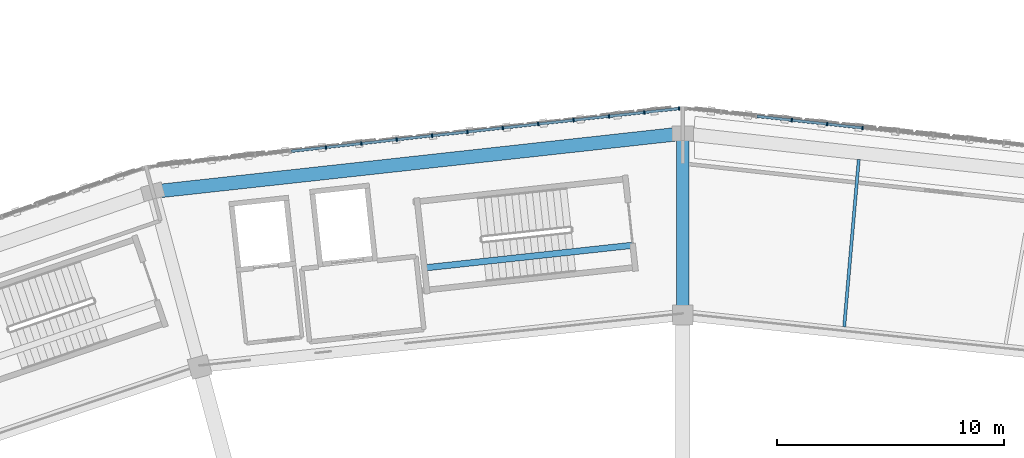
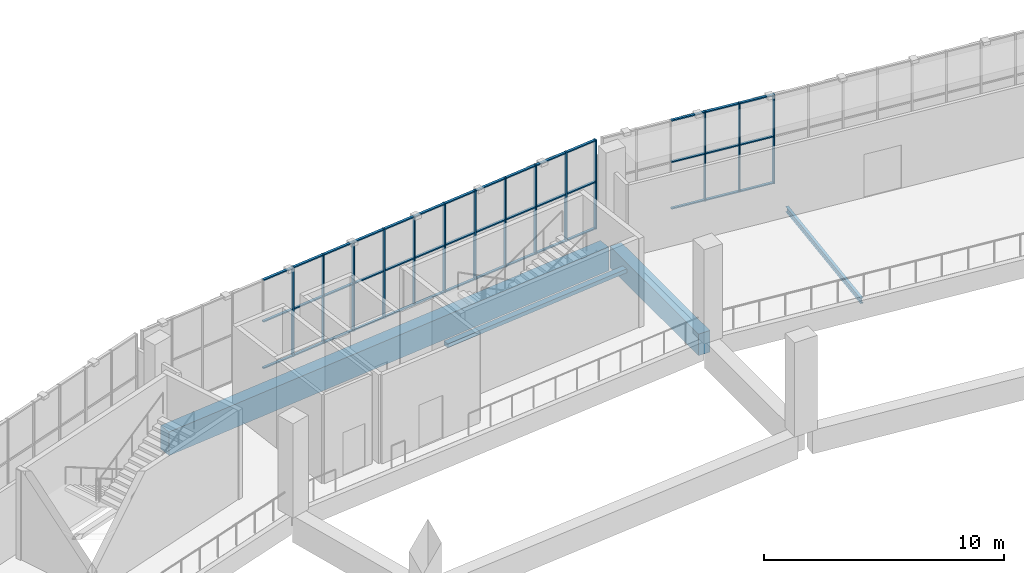
# One storey, part 40 of 108: 56 members, 4 beams, 2 elements without a shape of their own.
"""IFC4 building model written with IfcOpenShell, lengths in metres."""

from ifc_helpers import new_model, si_unit, direction, frame, origin, origin_2d, place, context, subcontext, project, spatial, rectangle, i_section, extrude, material, material_profile, profile_set, type_object, element, aggregate, save


model = new_model("IFC4")

# Units and contexts
model_context = context("Model", 3, precision=1e-05, world=origin(), true_north=direction((0.0, 1.0)))
body_context = subcontext(model_context, "Body", "Model", "MODEL_VIEW")
ifc_project = project(units=[si_unit("LENGTHUNIT", "METRE"), si_unit("AREAUNIT", "SQUARE_METRE"), si_unit("VOLUMEUNIT", "CUBIC_METRE"), si_unit("PLANEANGLEUNIT", "RADIAN"), si_unit("MASSUNIT", "GRAM", prefix="KILO")], contexts=[model_context])

# Site, building, storey
site_placement = place(None, origin())
site = spatial("IfcSite", under=ifc_project, at=site_placement, CompositionType="ELEMENT")
building_placement = place(site_placement, origin())
building = spatial("IfcBuilding", under=site, at=building_placement, Name="Zevraka Park Crest Stadium", CompositionType="ELEMENT")
storey_placement = place(building_placement, frame((0.0, 0.0, 19.800048828125)))
storey = spatial("IfcBuildingStorey", under=building, at=storey_placement, Name="L04", CompositionType="ELEMENT", Elevation=19.800048828125)

# Beam
ifc_material_1 = material(Name="Concrete C40/50", Category="concrete")
ifc_material_profile_1 = material_profile(ifc_material_1, rectangle(XDim=0.550048828125, YDim=1.10009765625, at=origin_2d()), Name="RC 1100x550")
ifc_profile_set_1 = profile_set([ifc_material_profile_1], Name="Concrete C40/50")
beam_type_1 = type_object("IfcBeamType", Name="BG02", PredefinedType="BEAM", material=ifc_profile_set_1)
beam_1_placement = place(storey_placement, frame((112.0, 159.60009765625, -0.56005859375), z_axis=(0.0, 1.0, 0.0), x_axis=(-1.0, 0.0, 0.0)))
element("IfcBeam", 1, at=beam_1_placement, inside=storey, type_object=beam_type_1, Name="Radial Girder BG02 L04-CD-06", PredefinedType="BEAM", context=body_context, shape_type="SweptSolid", body=[
    extrude(rectangle(XDim=0.550048828125, YDim=1.10009765625, at=origin_2d()), origin(), (0.0, 0.0, 1.0), 7.39990234375),
])

# Curtain wall, members
ifc_material_2 = material(Name="Anodised architectural aluminium and laminated safety glass", Category="aluminium")
curtain_wall_type = type_object("IfcCurtainWallType", Name="CW16", PredefinedType="NOTDEFINED", material=ifc_material_2)
curtain_wall_1_placement = place(storey_placement, origin())
curtain_wall_1 = element("IfcCurtainWall", 2, at=curtain_wall_1_placement, inside=storey, type_object=curtain_wall_type, Name="Unitised Ring Curtain Wall CW16 L04-05", PredefinedType="NOTDEFINED")
ifc_material_3 = material(Name="Anodised architectural aluminium", Category="aluminium")
ifc_material_profile_2 = material_profile(ifc_material_3, rectangle(XDim=0.159912109375, YDim=0.06005859375, at=origin_2d()), Name="ALU MULLION 160x60")
ifc_profile_set_2 = profile_set([ifc_material_profile_2], Name="Anodised architectural aluminium")
member_type_1 = type_object("IfcMemberType", Name="CM01", PredefinedType="MULLION", material=ifc_profile_set_2)
member_1_placement = place(storey_placement, frame((119.931396484375, 167.54638671875, 0.0), z_axis=(0.0, 0.0, 1.0), x_axis=(-0.109405941967, -0.993997152844, 0.0)))
member_1 = element("IfcMember", 3, at=member_1_placement, type_object=member_type_1, Name="CW16 mullion 11", PredefinedType="MULLION", context=body_context, shape_type="SweptSolid", body=[
    extrude(rectangle(XDim=0.159912109375, YDim=0.06005859375, at=origin_2d()), origin(), (0.0, 0.0, 1.0), 4.5400390625),
])
member_2_placement = place(storey_placement, frame((118.37109375, 167.718017578125, 0.0), z_axis=(0.0, 0.0, 1.0), x_axis=(-0.109405941967, -0.993997152844, 0.0)))
member_2 = element("IfcMember", 4, at=member_2_placement, type_object=member_type_1, Name="CW16 mullion 12", PredefinedType="MULLION", context=body_context, shape_type="SweptSolid", body=[
    extrude(rectangle(XDim=0.159912109375, YDim=0.06005859375, at=origin_2d()), origin(), (0.0, 0.0, 1.0), 4.5400390625),
])
member_3_placement = place(storey_placement, frame((116.810791015625, 167.889892578125, 0.0), z_axis=(0.0, 0.0, 1.0), x_axis=(-0.109405941967, -0.993997152844, 0.0)))
member_3 = element("IfcMember", 5, at=member_3_placement, type_object=member_type_1, Name="CW16 mullion 13", PredefinedType="MULLION", context=body_context, shape_type="SweptSolid", body=[
    extrude(rectangle(XDim=0.159912109375, YDim=0.06005859375, at=origin_2d()), origin(), (0.0, 0.0, 1.0), 4.5400390625),
])

curtain_wall_2_placement = place(storey_placement, origin())
curtain_wall_2 = element("IfcCurtainWall", 6, at=curtain_wall_2_placement, inside=storey, type_object=curtain_wall_type, Name="Unitised Ring Curtain Wall CW16 L04-06", PredefinedType="NOTDEFINED")
member_4_placement = place(storey_placement, frame((111.840087890625, 168.401611328125, 0.0), z_axis=(0.0, 0.0, 1.0), x_axis=(0.109405941967, -0.993997152844, 0.0)))
member_4 = element("IfcMember", 7, at=member_4_placement, type_object=member_type_1, Name="CW16 mullion 1", PredefinedType="MULLION", context=body_context, shape_type="SweptSolid", body=[
    extrude(rectangle(XDim=0.159912109375, YDim=0.06005859375, at=origin_2d()), origin(), (0.0, 0.0, 1.0), 4.5400390625),
])
member_5_placement = place(storey_placement, frame((110.309814453125, 168.233154296875, 0.0), z_axis=(0.0, 0.0, 1.0), x_axis=(0.109405941967, -0.993997152844, 0.0)))
member_5 = element("IfcMember", 8, at=member_5_placement, type_object=member_type_1, Name="CW16 mullion 2", PredefinedType="MULLION", context=body_context, shape_type="SweptSolid", body=[
    extrude(rectangle(XDim=0.159912109375, YDim=0.06005859375, at=origin_2d()), origin(), (0.0, 0.0, 1.0), 4.5400390625),
])
member_6_placement = place(storey_placement, frame((108.74951171875, 168.0615234375, 0.0), z_axis=(0.0, 0.0, 1.0), x_axis=(0.109405941967, -0.993997152844, 0.0)))
member_6 = element("IfcMember", 9, at=member_6_placement, type_object=member_type_1, Name="CW16 mullion 3", PredefinedType="MULLION", context=body_context, shape_type="SweptSolid", body=[
    extrude(rectangle(XDim=0.159912109375, YDim=0.06005859375, at=origin_2d()), origin(), (0.0, 0.0, 1.0), 4.5400390625),
])
member_7_placement = place(storey_placement, frame((107.189208984375, 167.889892578125, 0.0), z_axis=(0.0, 0.0, 1.0), x_axis=(0.109405941967, -0.993997152844, 0.0)))
member_7 = element("IfcMember", 10, at=member_7_placement, type_object=member_type_1, Name="CW16 mullion 4", PredefinedType="MULLION", context=body_context, shape_type="SweptSolid", body=[
    extrude(rectangle(XDim=0.159912109375, YDim=0.06005859375, at=origin_2d()), origin(), (0.0, 0.0, 1.0), 4.5400390625),
])
member_8_placement = place(storey_placement, frame((105.62890625, 167.718017578125, 0.0), z_axis=(0.0, 0.0, 1.0), x_axis=(0.109405941967, -0.993997152844, 0.0)))
member_8 = element("IfcMember", 11, at=member_8_placement, type_object=member_type_1, Name="CW16 mullion 5", PredefinedType="MULLION", context=body_context, shape_type="SweptSolid", body=[
    extrude(rectangle(XDim=0.159912109375, YDim=0.06005859375, at=origin_2d()), origin(), (0.0, 0.0, 1.0), 4.5400390625),
])
member_9_placement = place(storey_placement, frame((104.068603515625, 167.54638671875, 0.0), z_axis=(0.0, 0.0, 1.0), x_axis=(0.109405941967, -0.993997152844, 0.0)))
member_9 = element("IfcMember", 12, at=member_9_placement, type_object=member_type_1, Name="CW16 mullion 6", PredefinedType="MULLION", context=body_context, shape_type="SweptSolid", body=[
    extrude(rectangle(XDim=0.159912109375, YDim=0.06005859375, at=origin_2d()), origin(), (0.0, 0.0, 1.0), 4.5400390625),
])
member_10_placement = place(storey_placement, frame((102.50830078125, 167.37451171875, 0.0), z_axis=(0.0, 0.0, 1.0), x_axis=(0.109405941967, -0.993997152844, 0.0)))
member_10 = element("IfcMember", 13, at=member_10_placement, type_object=member_type_1, Name="CW16 mullion 7", PredefinedType="MULLION", context=body_context, shape_type="SweptSolid", body=[
    extrude(rectangle(XDim=0.159912109375, YDim=0.06005859375, at=origin_2d()), origin(), (0.0, 0.0, 1.0), 4.5400390625),
])
member_11_placement = place(storey_placement, frame((100.9482421875, 167.202880859375, 0.0), z_axis=(0.0, 0.0, 1.0), x_axis=(0.109405941967, -0.993997152844, 0.0)))
member_11 = element("IfcMember", 14, at=member_11_placement, type_object=member_type_1, Name="CW16 mullion 8", PredefinedType="MULLION", context=body_context, shape_type="SweptSolid", body=[
    extrude(rectangle(XDim=0.159912109375, YDim=0.06005859375, at=origin_2d()), origin(), (0.0, 0.0, 1.0), 4.5400390625),
])
member_12_placement = place(storey_placement, frame((99.387939453125, 167.03125, 0.0), z_axis=(0.0, 0.0, 1.0), x_axis=(0.109405941967, -0.993997152844, 0.0)))
member_12 = element("IfcMember", 15, at=member_12_placement, type_object=member_type_1, Name="CW16 mullion 9", PredefinedType="MULLION", context=body_context, shape_type="SweptSolid", body=[
    extrude(rectangle(XDim=0.159912109375, YDim=0.06005859375, at=origin_2d()), origin(), (0.0, 0.0, 1.0), 4.5400390625),
])
member_13_placement = place(storey_placement, frame((97.82763671875, 166.859375, 0.0), z_axis=(0.0, 0.0, 1.0), x_axis=(0.109405941967, -0.993997152844, 0.0)))
member_13 = element("IfcMember", 16, at=member_13_placement, type_object=member_type_1, Name="CW16 mullion 10", PredefinedType="MULLION", context=body_context, shape_type="SweptSolid", body=[
    extrude(rectangle(XDim=0.159912109375, YDim=0.06005859375, at=origin_2d()), origin(), (0.0, 0.0, 1.0), 4.5400390625),
])
member_14_placement = place(storey_placement, frame((96.267333984375, 166.687744140625, 0.0), z_axis=(0.0, 0.0, 1.0), x_axis=(0.109405941967, -0.993997152844, 0.0)))
member_14 = element("IfcMember", 17, at=member_14_placement, type_object=member_type_1, Name="CW16 mullion 11", PredefinedType="MULLION", context=body_context, shape_type="SweptSolid", body=[
    extrude(rectangle(XDim=0.159912109375, YDim=0.06005859375, at=origin_2d()), origin(), (0.0, 0.0, 1.0), 4.5400390625),
])

# Member
ifc_material_4 = material(Name="Anodised architectural aluminium", Category="aluminium")
ifc_material_profile_3 = material_profile(ifc_material_4, rectangle(XDim=0.1201171875, YDim=0.06005859375, at=origin_2d()), Name="ALU TRANSOM 120x60")
ifc_profile_set_3 = profile_set([ifc_material_profile_3], Name="Anodised architectural aluminium")
member_type_2 = type_object("IfcMemberType", Name="CT01", PredefinedType="USERDEFINED", material=ifc_profile_set_3)
member_15_placement = place(storey_placement, frame((119.901611328125, 167.549560546875, 0.030029296875), z_axis=(-0.993989760088, 0.109473087291, 0.0), x_axis=(-0.109473087291, -0.993989760088, 0.0)))
member_15 = element("IfcMember", 18, at=member_15_placement, type_object=member_type_2, Name="CW16 transom 11.1", ObjectType="TRANSOM", PredefinedType="USERDEFINED", context=body_context, shape_type="SweptSolid", body=[
    extrude(rectangle(XDim=0.1201171875, YDim=0.06005859375, at=origin_2d()), origin(), (0.0, 0.0, 1.0), 1.509765625),
])

member_16_placement = place(storey_placement, frame((119.901611328125, 167.549560546875, 2.39990234375), z_axis=(-0.993989760088, 0.109473087291, 0.0), x_axis=(-0.109473087291, -0.993989760088, 0.0)))
member_16 = element("IfcMember", 19, at=member_16_placement, type_object=member_type_2, Name="CW16 transom 11.2", ObjectType="TRANSOM", PredefinedType="USERDEFINED", context=body_context, shape_type="SweptSolid", body=[
    extrude(rectangle(XDim=0.1201171875, YDim=0.06005859375, at=origin_2d()), origin(), (0.0, 0.0, 1.0), 1.509765625),
])

member_17_placement = place(storey_placement, frame((119.901611328125, 167.549560546875, 4.510009765625), z_axis=(-0.993989760088, 0.109473087291, 0.0), x_axis=(-0.109473087291, -0.993989760088, 0.0)))
member_17 = element("IfcMember", 20, at=member_17_placement, type_object=member_type_2, Name="CW16 transom 11.3", ObjectType="TRANSOM", PredefinedType="USERDEFINED", context=body_context, shape_type="SweptSolid", body=[
    extrude(rectangle(XDim=0.1201171875, YDim=0.06005859375, at=origin_2d()), origin(), (0.0, 0.0, 1.0), 1.509765625),
])

member_18_placement = place(storey_placement, frame((118.34130859375, 167.721435546875, 0.030029296875), z_axis=(-0.994007343316, 0.109313317729, 0.0), x_axis=(-0.109313317729, -0.994007343316, 0.0)))
member_18 = element("IfcMember", 21, at=member_18_placement, type_object=member_type_2, Name="CW16 transom 12.1", ObjectType="TRANSOM", PredefinedType="USERDEFINED", context=body_context, shape_type="SweptSolid", body=[
    extrude(rectangle(XDim=0.1201171875, YDim=0.06005859375, at=origin_2d()), origin(), (0.0, 0.0, 1.0), 1.509765625),
])

member_19_placement = place(storey_placement, frame((118.34130859375, 167.721435546875, 2.39990234375), z_axis=(-0.994007343316, 0.109313317729, 0.0), x_axis=(-0.109313317729, -0.994007343316, 0.0)))
member_19 = element("IfcMember", 22, at=member_19_placement, type_object=member_type_2, Name="CW16 transom 12.2", ObjectType="TRANSOM", PredefinedType="USERDEFINED", context=body_context, shape_type="SweptSolid", body=[
    extrude(rectangle(XDim=0.1201171875, YDim=0.06005859375, at=origin_2d()), origin(), (0.0, 0.0, 1.0), 1.509765625),
])

member_20_placement = place(storey_placement, frame((118.34130859375, 167.721435546875, 4.510009765625), z_axis=(-0.994007343316, 0.109313317729, 0.0), x_axis=(-0.109313317729, -0.994007343316, 0.0)))
member_20 = element("IfcMember", 23, at=member_20_placement, type_object=member_type_2, Name="CW16 transom 12.3", ObjectType="TRANSOM", PredefinedType="USERDEFINED", context=body_context, shape_type="SweptSolid", body=[
    extrude(rectangle(XDim=0.1201171875, YDim=0.06005859375, at=origin_2d()), origin(), (0.0, 0.0, 1.0), 1.509765625),
])

member_21_placement = place(storey_placement, frame((116.781005859375, 167.89306640625, 0.030029296875), z_axis=(-0.993989760088, 0.109473087291, 0.0), x_axis=(-0.109473087291, -0.993989760088, 0.0)))
member_21 = element("IfcMember", 24, at=member_21_placement, type_object=member_type_2, Name="CW16 transom 13.1", ObjectType="TRANSOM", PredefinedType="USERDEFINED", context=body_context, shape_type="SweptSolid", body=[
    extrude(rectangle(XDim=0.1201171875, YDim=0.06005859375, at=origin_2d()), origin(), (0.0, 0.0, 1.0), 1.509765625),
])

member_22_placement = place(storey_placement, frame((116.781005859375, 167.89306640625, 2.39990234375), z_axis=(-0.993989760088, 0.109473087291, 0.0), x_axis=(-0.109473087291, -0.993989760088, 0.0)))
member_22 = element("IfcMember", 25, at=member_22_placement, type_object=member_type_2, Name="CW16 transom 13.2", ObjectType="TRANSOM", PredefinedType="USERDEFINED", context=body_context, shape_type="SweptSolid", body=[
    extrude(rectangle(XDim=0.1201171875, YDim=0.06005859375, at=origin_2d()), origin(), (0.0, 0.0, 1.0), 1.509765625),
])

member_23_placement = place(storey_placement, frame((116.781005859375, 167.89306640625, 4.510009765625), z_axis=(-0.993989760088, 0.109473087291, 0.0), x_axis=(-0.109473087291, -0.993989760088, 0.0)))
member_23 = element("IfcMember", 26, at=member_23_placement, type_object=member_type_2, Name="CW16 transom 13.3", ObjectType="TRANSOM", PredefinedType="USERDEFINED", context=body_context, shape_type="SweptSolid", body=[
    extrude(rectangle(XDim=0.1201171875, YDim=0.06005859375, at=origin_2d()), origin(), (0.0, 0.0, 1.0), 1.509765625),
])

aggregate(curtain_wall_1, [member_1, member_2, member_3, member_15, member_16, member_17, member_18, member_19, member_20, member_21, member_22, member_23])

member_24_placement = place(storey_placement, frame((111.810302734375, 168.3984375, 0.030029296875), z_axis=(-0.993997898073, -0.109399171053, 0.0), x_axis=(0.109399171053, -0.993997898073, 0.0)))
member_24 = element("IfcMember", 27, at=member_24_placement, type_object=member_type_2, Name="CW16 transom 1.1", ObjectType="TRANSOM", PredefinedType="USERDEFINED", context=body_context, shape_type="SweptSolid", body=[
    extrude(rectangle(XDim=0.1201171875, YDim=0.06005859375, at=origin_2d()), origin(), (0.0, 0.0, 1.0), 1.4794921875),
])

member_25_placement = place(storey_placement, frame((111.810302734375, 168.3984375, 2.39990234375), z_axis=(-0.993997898073, -0.109399171053, 0.0), x_axis=(0.109399171053, -0.993997898073, 0.0)))
member_25 = element("IfcMember", 28, at=member_25_placement, type_object=member_type_2, Name="CW16 transom 1.2", ObjectType="TRANSOM", PredefinedType="USERDEFINED", context=body_context, shape_type="SweptSolid", body=[
    extrude(rectangle(XDim=0.1201171875, YDim=0.06005859375, at=origin_2d()), origin(), (0.0, 0.0, 1.0), 1.4794921875),
])

member_26_placement = place(storey_placement, frame((111.810302734375, 168.3984375, 4.510009765625), z_axis=(-0.993997898073, -0.109399171053, 0.0), x_axis=(0.109399171053, -0.993997898073, 0.0)))
member_26 = element("IfcMember", 29, at=member_26_placement, type_object=member_type_2, Name="CW16 transom 1.3", ObjectType="TRANSOM", PredefinedType="USERDEFINED", context=body_context, shape_type="SweptSolid", body=[
    extrude(rectangle(XDim=0.1201171875, YDim=0.06005859375, at=origin_2d()), origin(), (0.0, 0.0, 1.0), 1.4794921875),
])

member_27_placement = place(storey_placement, frame((110.280029296875, 168.22998046875, 0.030029296875), z_axis=(-0.993989760088, -0.109473087291, 0.0), x_axis=(0.109473087291, -0.993989760088, 0.0)))
member_27 = element("IfcMember", 30, at=member_27_placement, type_object=member_type_2, Name="CW16 transom 2.1", ObjectType="TRANSOM", PredefinedType="USERDEFINED", context=body_context, shape_type="SweptSolid", body=[
    extrude(rectangle(XDim=0.1201171875, YDim=0.06005859375, at=origin_2d()), origin(), (0.0, 0.0, 1.0), 1.509765625),
])

member_28_placement = place(storey_placement, frame((110.280029296875, 168.22998046875, 2.39990234375), z_axis=(-0.993989760088, -0.109473087291, 0.0), x_axis=(0.109473087291, -0.993989760088, 0.0)))
member_28 = element("IfcMember", 31, at=member_28_placement, type_object=member_type_2, Name="CW16 transom 2.2", ObjectType="TRANSOM", PredefinedType="USERDEFINED", context=body_context, shape_type="SweptSolid", body=[
    extrude(rectangle(XDim=0.1201171875, YDim=0.06005859375, at=origin_2d()), origin(), (0.0, 0.0, 1.0), 1.509765625),
])

member_29_placement = place(storey_placement, frame((110.280029296875, 168.22998046875, 4.510009765625), z_axis=(-0.993989760088, -0.109473087291, 0.0), x_axis=(0.109473087291, -0.993989760088, 0.0)))
member_29 = element("IfcMember", 32, at=member_29_placement, type_object=member_type_2, Name="CW16 transom 2.3", ObjectType="TRANSOM", PredefinedType="USERDEFINED", context=body_context, shape_type="SweptSolid", body=[
    extrude(rectangle(XDim=0.1201171875, YDim=0.06005859375, at=origin_2d()), origin(), (0.0, 0.0, 1.0), 1.509765625),
])

member_30_placement = place(storey_placement, frame((108.7197265625, 168.058349609375, 0.030029296875), z_axis=(-0.993989760088, -0.109473087291, 0.0), x_axis=(0.109473087291, -0.993989760088, 0.0)))
member_30 = element("IfcMember", 33, at=member_30_placement, type_object=member_type_2, Name="CW16 transom 3.1", ObjectType="TRANSOM", PredefinedType="USERDEFINED", context=body_context, shape_type="SweptSolid", body=[
    extrude(rectangle(XDim=0.1201171875, YDim=0.06005859375, at=origin_2d()), origin(), (0.0, 0.0, 1.0), 1.509765625),
])

member_31_placement = place(storey_placement, frame((108.7197265625, 168.058349609375, 2.39990234375), z_axis=(-0.993989760088, -0.109473087291, 0.0), x_axis=(0.109473087291, -0.993989760088, 0.0)))
member_31 = element("IfcMember", 34, at=member_31_placement, type_object=member_type_2, Name="CW16 transom 3.2", ObjectType="TRANSOM", PredefinedType="USERDEFINED", context=body_context, shape_type="SweptSolid", body=[
    extrude(rectangle(XDim=0.1201171875, YDim=0.06005859375, at=origin_2d()), origin(), (0.0, 0.0, 1.0), 1.509765625),
])

member_32_placement = place(storey_placement, frame((108.7197265625, 168.058349609375, 4.510009765625), z_axis=(-0.993989760088, -0.109473087291, 0.0), x_axis=(0.109473087291, -0.993989760088, 0.0)))
member_32 = element("IfcMember", 35, at=member_32_placement, type_object=member_type_2, Name="CW16 transom 3.3", ObjectType="TRANSOM", PredefinedType="USERDEFINED", context=body_context, shape_type="SweptSolid", body=[
    extrude(rectangle(XDim=0.1201171875, YDim=0.06005859375, at=origin_2d()), origin(), (0.0, 0.0, 1.0), 1.509765625),
])

member_33_placement = place(storey_placement, frame((107.159423828125, 167.886474609375, 0.030029296875), z_axis=(-0.994007343316, -0.109313317729, 0.0), x_axis=(0.109313317729, -0.994007343316, 0.0)))
member_33 = element("IfcMember", 36, at=member_33_placement, type_object=member_type_2, Name="CW16 transom 4.1", ObjectType="TRANSOM", PredefinedType="USERDEFINED", context=body_context, shape_type="SweptSolid", body=[
    extrude(rectangle(XDim=0.1201171875, YDim=0.06005859375, at=origin_2d()), origin(), (0.0, 0.0, 1.0), 1.509765625),
])

member_34_placement = place(storey_placement, frame((107.159423828125, 167.886474609375, 2.39990234375), z_axis=(-0.994007343316, -0.109313317729, 0.0), x_axis=(0.109313317729, -0.994007343316, 0.0)))
member_34 = element("IfcMember", 37, at=member_34_placement, type_object=member_type_2, Name="CW16 transom 4.2", ObjectType="TRANSOM", PredefinedType="USERDEFINED", context=body_context, shape_type="SweptSolid", body=[
    extrude(rectangle(XDim=0.1201171875, YDim=0.06005859375, at=origin_2d()), origin(), (0.0, 0.0, 1.0), 1.509765625),
])

member_35_placement = place(storey_placement, frame((107.159423828125, 167.886474609375, 4.510009765625), z_axis=(-0.994007343316, -0.109313317729, 0.0), x_axis=(0.109313317729, -0.994007343316, 0.0)))
member_35 = element("IfcMember", 38, at=member_35_placement, type_object=member_type_2, Name="CW16 transom 4.3", ObjectType="TRANSOM", PredefinedType="USERDEFINED", context=body_context, shape_type="SweptSolid", body=[
    extrude(rectangle(XDim=0.1201171875, YDim=0.06005859375, at=origin_2d()), origin(), (0.0, 0.0, 1.0), 1.509765625),
])

member_36_placement = place(storey_placement, frame((105.59912109375, 167.71484375, 0.030029296875), z_axis=(-0.993989760088, -0.109473087291, 0.0), x_axis=(0.109473087291, -0.993989760088, 0.0)))
member_36 = element("IfcMember", 39, at=member_36_placement, type_object=member_type_2, Name="CW16 transom 5.1", ObjectType="TRANSOM", PredefinedType="USERDEFINED", context=body_context, shape_type="SweptSolid", body=[
    extrude(rectangle(XDim=0.1201171875, YDim=0.06005859375, at=origin_2d()), origin(), (0.0, 0.0, 1.0), 1.509765625),
])

member_37_placement = place(storey_placement, frame((105.59912109375, 167.71484375, 2.39990234375), z_axis=(-0.993989760088, -0.109473087291, 0.0), x_axis=(0.109473087291, -0.993989760088, 0.0)))
member_37 = element("IfcMember", 40, at=member_37_placement, type_object=member_type_2, Name="CW16 transom 5.2", ObjectType="TRANSOM", PredefinedType="USERDEFINED", context=body_context, shape_type="SweptSolid", body=[
    extrude(rectangle(XDim=0.1201171875, YDim=0.06005859375, at=origin_2d()), origin(), (0.0, 0.0, 1.0), 1.509765625),
])

member_38_placement = place(storey_placement, frame((105.59912109375, 167.71484375, 4.510009765625), z_axis=(-0.993989760088, -0.109473087291, 0.0), x_axis=(0.109473087291, -0.993989760088, 0.0)))
member_38 = element("IfcMember", 41, at=member_38_placement, type_object=member_type_2, Name="CW16 transom 5.3", ObjectType="TRANSOM", PredefinedType="USERDEFINED", context=body_context, shape_type="SweptSolid", body=[
    extrude(rectangle(XDim=0.1201171875, YDim=0.06005859375, at=origin_2d()), origin(), (0.0, 0.0, 1.0), 1.509765625),
])

member_39_placement = place(storey_placement, frame((104.038818359375, 167.54296875, 0.030029296875), z_axis=(-0.994005410559, -0.109330891236, 0.0), x_axis=(0.109330891236, -0.994005410559, 0.0)))
member_39 = element("IfcMember", 42, at=member_39_placement, type_object=member_type_2, Name="CW16 transom 6.1", ObjectType="TRANSOM", PredefinedType="USERDEFINED", context=body_context, shape_type="SweptSolid", body=[
    extrude(rectangle(XDim=0.1201171875, YDim=0.06005859375, at=origin_2d()), origin(), (0.0, 0.0, 1.0), 1.509521484375),
])

member_40_placement = place(storey_placement, frame((104.038818359375, 167.54296875, 2.39990234375), z_axis=(-0.994005410559, -0.109330891236, 0.0), x_axis=(0.109330891236, -0.994005410559, 0.0)))
member_40 = element("IfcMember", 43, at=member_40_placement, type_object=member_type_2, Name="CW16 transom 6.2", ObjectType="TRANSOM", PredefinedType="USERDEFINED", context=body_context, shape_type="SweptSolid", body=[
    extrude(rectangle(XDim=0.1201171875, YDim=0.06005859375, at=origin_2d()), origin(), (0.0, 0.0, 1.0), 1.509521484375),
])

member_41_placement = place(storey_placement, frame((104.038818359375, 167.54296875, 4.510009765625), z_axis=(-0.994005410559, -0.109330891236, 0.0), x_axis=(0.109330891236, -0.994005410559, 0.0)))
member_41 = element("IfcMember", 44, at=member_41_placement, type_object=member_type_2, Name="CW16 transom 6.3", ObjectType="TRANSOM", PredefinedType="USERDEFINED", context=body_context, shape_type="SweptSolid", body=[
    extrude(rectangle(XDim=0.1201171875, YDim=0.06005859375, at=origin_2d()), origin(), (0.0, 0.0, 1.0), 1.509521484375),
])

member_42_placement = place(storey_placement, frame((102.478515625, 167.371337890625, 0.030029296875), z_axis=(-0.993987821711, -0.10949068586, 0.0), x_axis=(0.10949068586, -0.993987821711, 0.0)))
member_42 = element("IfcMember", 45, at=member_42_placement, type_object=member_type_2, Name="CW16 transom 7.1", ObjectType="TRANSOM", PredefinedType="USERDEFINED", context=body_context, shape_type="SweptSolid", body=[
    extrude(rectangle(XDim=0.1201171875, YDim=0.06005859375, at=origin_2d()), origin(), (0.0, 0.0, 1.0), 1.509521484375),
])

member_43_placement = place(storey_placement, frame((102.478515625, 167.371337890625, 2.39990234375), z_axis=(-0.993987821711, -0.10949068586, 0.0), x_axis=(0.10949068586, -0.993987821711, 0.0)))
member_43 = element("IfcMember", 46, at=member_43_placement, type_object=member_type_2, Name="CW16 transom 7.2", ObjectType="TRANSOM", PredefinedType="USERDEFINED", context=body_context, shape_type="SweptSolid", body=[
    extrude(rectangle(XDim=0.1201171875, YDim=0.06005859375, at=origin_2d()), origin(), (0.0, 0.0, 1.0), 1.509521484375),
])

member_44_placement = place(storey_placement, frame((102.478515625, 167.371337890625, 4.510009765625), z_axis=(-0.993987821711, -0.10949068586, 0.0), x_axis=(0.10949068586, -0.993987821711, 0.0)))
member_44 = element("IfcMember", 47, at=member_44_placement, type_object=member_type_2, Name="CW16 transom 7.3", ObjectType="TRANSOM", PredefinedType="USERDEFINED", context=body_context, shape_type="SweptSolid", body=[
    extrude(rectangle(XDim=0.1201171875, YDim=0.06005859375, at=origin_2d()), origin(), (0.0, 0.0, 1.0), 1.509521484375),
])

member_45_placement = place(storey_placement, frame((100.918212890625, 167.199462890625, 0.030029296875), z_axis=(-0.994005410559, -0.109330891236, 0.0), x_axis=(0.109330891236, -0.994005410559, 0.0)))
member_45 = element("IfcMember", 48, at=member_45_placement, type_object=member_type_2, Name="CW16 transom 8.1", ObjectType="TRANSOM", PredefinedType="USERDEFINED", context=body_context, shape_type="SweptSolid", body=[
    extrude(rectangle(XDim=0.1201171875, YDim=0.06005859375, at=origin_2d()), origin(), (0.0, 0.0, 1.0), 1.509521484375),
])

member_46_placement = place(storey_placement, frame((100.918212890625, 167.199462890625, 2.39990234375), z_axis=(-0.994005410559, -0.109330891236, 0.0), x_axis=(0.109330891236, -0.994005410559, 0.0)))
member_46 = element("IfcMember", 49, at=member_46_placement, type_object=member_type_2, Name="CW16 transom 8.2", ObjectType="TRANSOM", PredefinedType="USERDEFINED", context=body_context, shape_type="SweptSolid", body=[
    extrude(rectangle(XDim=0.1201171875, YDim=0.06005859375, at=origin_2d()), origin(), (0.0, 0.0, 1.0), 1.509521484375),
])

member_47_placement = place(storey_placement, frame((100.918212890625, 167.199462890625, 4.510009765625), z_axis=(-0.994005410559, -0.109330891236, 0.0), x_axis=(0.109330891236, -0.994005410559, 0.0)))
member_47 = element("IfcMember", 50, at=member_47_placement, type_object=member_type_2, Name="CW16 transom 8.3", ObjectType="TRANSOM", PredefinedType="USERDEFINED", context=body_context, shape_type="SweptSolid", body=[
    extrude(rectangle(XDim=0.1201171875, YDim=0.06005859375, at=origin_2d()), origin(), (0.0, 0.0, 1.0), 1.509521484375),
])

member_48_placement = place(storey_placement, frame((99.358154296875, 167.02783203125, 0.030029296875), z_axis=(-0.994007343316, -0.109313317729, 0.0), x_axis=(0.109313317729, -0.994007343316, 0.0)))
member_48 = element("IfcMember", 51, at=member_48_placement, type_object=member_type_2, Name="CW16 transom 9.1", ObjectType="TRANSOM", PredefinedType="USERDEFINED", context=body_context, shape_type="SweptSolid", body=[
    extrude(rectangle(XDim=0.1201171875, YDim=0.06005859375, at=origin_2d()), origin(), (0.0, 0.0, 1.0), 1.509765625),
])

member_49_placement = place(storey_placement, frame((99.358154296875, 167.02783203125, 2.39990234375), z_axis=(-0.994007343316, -0.109313317729, 0.0), x_axis=(0.109313317729, -0.994007343316, 0.0)))
member_49 = element("IfcMember", 52, at=member_49_placement, type_object=member_type_2, Name="CW16 transom 9.2", ObjectType="TRANSOM", PredefinedType="USERDEFINED", context=body_context, shape_type="SweptSolid", body=[
    extrude(rectangle(XDim=0.1201171875, YDim=0.06005859375, at=origin_2d()), origin(), (0.0, 0.0, 1.0), 1.509765625),
])

member_50_placement = place(storey_placement, frame((99.358154296875, 167.02783203125, 4.510009765625), z_axis=(-0.994007343316, -0.109313317729, 0.0), x_axis=(0.109313317729, -0.994007343316, 0.0)))
member_50 = element("IfcMember", 53, at=member_50_placement, type_object=member_type_2, Name="CW16 transom 9.3", ObjectType="TRANSOM", PredefinedType="USERDEFINED", context=body_context, shape_type="SweptSolid", body=[
    extrude(rectangle(XDim=0.1201171875, YDim=0.06005859375, at=origin_2d()), origin(), (0.0, 0.0, 1.0), 1.509765625),
])

member_51_placement = place(storey_placement, frame((97.7978515625, 166.856201171875, 0.030029296875), z_axis=(-0.993989760088, -0.109473087291, 0.0), x_axis=(0.109473087291, -0.993989760088, 0.0)))
member_51 = element("IfcMember", 54, at=member_51_placement, type_object=member_type_2, Name="CW16 transom 10.1", ObjectType="TRANSOM", PredefinedType="USERDEFINED", context=body_context, shape_type="SweptSolid", body=[
    extrude(rectangle(XDim=0.1201171875, YDim=0.06005859375, at=origin_2d()), origin(), (0.0, 0.0, 1.0), 1.509765625),
])

member_52_placement = place(storey_placement, frame((97.7978515625, 166.856201171875, 2.39990234375), z_axis=(-0.993989760088, -0.109473087291, 0.0), x_axis=(0.109473087291, -0.993989760088, 0.0)))
member_52 = element("IfcMember", 55, at=member_52_placement, type_object=member_type_2, Name="CW16 transom 10.2", ObjectType="TRANSOM", PredefinedType="USERDEFINED", context=body_context, shape_type="SweptSolid", body=[
    extrude(rectangle(XDim=0.1201171875, YDim=0.06005859375, at=origin_2d()), origin(), (0.0, 0.0, 1.0), 1.509765625),
])

member_53_placement = place(storey_placement, frame((97.7978515625, 166.856201171875, 4.510009765625), z_axis=(-0.993989760088, -0.109473087291, 0.0), x_axis=(0.109473087291, -0.993989760088, 0.0)))
member_53 = element("IfcMember", 56, at=member_53_placement, type_object=member_type_2, Name="CW16 transom 10.3", ObjectType="TRANSOM", PredefinedType="USERDEFINED", context=body_context, shape_type="SweptSolid", body=[
    extrude(rectangle(XDim=0.1201171875, YDim=0.06005859375, at=origin_2d()), origin(), (0.0, 0.0, 1.0), 1.509765625),
])

member_54_placement = place(storey_placement, frame((96.237548828125, 166.684326171875, 0.030029296875), z_axis=(-0.994007343316, -0.109313317729, 0.0), x_axis=(0.109313317729, -0.994007343316, 0.0)))
member_54 = element("IfcMember", 57, at=member_54_placement, type_object=member_type_2, Name="CW16 transom 11.1", ObjectType="TRANSOM", PredefinedType="USERDEFINED", context=body_context, shape_type="SweptSolid", body=[
    extrude(rectangle(XDim=0.1201171875, YDim=0.06005859375, at=origin_2d()), origin(), (0.0, 0.0, 1.0), 1.509765625),
])

member_55_placement = place(storey_placement, frame((96.237548828125, 166.684326171875, 2.39990234375), z_axis=(-0.994007343316, -0.109313317729, 0.0), x_axis=(0.109313317729, -0.994007343316, 0.0)))
member_55 = element("IfcMember", 58, at=member_55_placement, type_object=member_type_2, Name="CW16 transom 11.2", ObjectType="TRANSOM", PredefinedType="USERDEFINED", context=body_context, shape_type="SweptSolid", body=[
    extrude(rectangle(XDim=0.1201171875, YDim=0.06005859375, at=origin_2d()), origin(), (0.0, 0.0, 1.0), 1.509765625),
])

member_56_placement = place(storey_placement, frame((96.237548828125, 166.684326171875, 4.510009765625), z_axis=(-0.994007343316, -0.109313317729, 0.0), x_axis=(0.109313317729, -0.994007343316, 0.0)))
member_56 = element("IfcMember", 59, at=member_56_placement, type_object=member_type_2, Name="CW16 transom 11.3", ObjectType="TRANSOM", PredefinedType="USERDEFINED", context=body_context, shape_type="SweptSolid", body=[
    extrude(rectangle(XDim=0.1201171875, YDim=0.06005859375, at=origin_2d()), origin(), (0.0, 0.0, 1.0), 1.509765625),
])

aggregate(curtain_wall_2, [member_4, member_5, member_6, member_7, member_8, member_9, member_10, member_11, member_12, member_13, member_14, member_24, member_25, member_26, member_27, member_28, member_29, member_30, member_31, member_32, member_33, member_34, member_35, member_36, member_37, member_38, member_39, member_40, member_41, member_42, member_43, member_44, member_45, member_46, member_47, member_48, member_49, member_50, member_51, member_52, member_53, member_54, member_55, member_56])

# Beams
ifc_material_5 = material(Name="Concrete C40/50", Category="concrete")
ifc_material_profile_4 = material_profile(ifc_material_5, rectangle(XDim=0.60009765625, YDim=1.199951171875, at=origin_2d()), Name="RC 1200x600")
ifc_profile_set_4 = profile_set([ifc_material_profile_4], Name="Concrete C40/50")
beam_type_2 = type_object("IfcBeamType", Name="RB01", PredefinedType="BEAM", material=ifc_profile_set_4)
beam_2_placement = place(storey_placement, frame((111.6220703125, 167.259033203125, -0.610107421875), z_axis=(-0.994021150509, -0.109187693174, 0.0), x_axis=(0.109187693174, -0.994021150509, 0.0)))
element("IfcBeam", 60, at=beam_2_placement, inside=storey, type_object=beam_type_2, Name="Ring Beam RB01 L04-D-06", PredefinedType="BEAM", context=body_context, shape_type="SweptSolid", body=[
    extrude(rectangle(XDim=0.60009765625, YDim=1.199951171875, at=origin_2d()), origin(), (0.0, 0.0, 1.0), 22.7509765625),
])
ifc_material_6 = material(Name="Steel S355", Category="steel")
ifc_material_profile_5 = material_profile(ifc_material_6, i_section(OverallWidth=0.135009765625, OverallDepth=0.27001953125, WebThickness=0.006591796875, FlangeThickness=0.01025390625, at=origin_2d()), Name="IPE 270")
ifc_profile_set_5 = profile_set([ifc_material_profile_5], Name="Steel S355")
beam_type_3 = type_object("IfcBeamType", Name="SJ07", PredefinedType="JOIST", material=ifc_profile_set_5)
beam_3_placement = place(storey_placement, frame((119.1220703125, 158.780029296875, -0.403076171875), z_axis=(0.086881642908, 0.996218640724, 0.0), x_axis=(-0.996218640724, 0.086881642908, 0.0)))
element("IfcBeam", 61, at=beam_3_placement, inside=storey, type_object=beam_type_3, Name="Floor Joist SJ07 L04-CD-05-2", PredefinedType="JOIST", context=body_context, shape_type="SweptSolid", body=[
    extrude(i_section(OverallWidth=0.135009765625, OverallDepth=0.27001953125, WebThickness=0.006591796875, FlangeThickness=0.01025390625, at=origin_2d()), origin(), (0.0, 0.0, 1.0), 7.39892578125),
])
ifc_material_7 = material(Name="Concrete C40/50", Category="concrete")
ifc_material_profile_6 = material_profile(ifc_material_7, rectangle(XDim=0.280029296875, YDim=0.199951171875, at=origin_2d()), Name="RC 200x280")
ifc_profile_set_6 = profile_set([ifc_material_profile_6], Name="Concrete C40/50")
beam_type_4 = type_object("IfcBeamType", Name="SJ13", PredefinedType="JOIST", material=ifc_profile_set_6)
beam_4_placement = place(storey_placement, frame((109.77197265625, 162.37158203125, 2.300048828125), z_axis=(-0.994127809114, -0.108212287404, 0.0), x_axis=(0.108212287404, -0.994127809114, 0.0)))
element("IfcBeam", 62, at=beam_4_placement, inside=storey, type_object=beam_type_4, Name="Stair Upper-Flight Longitudinal Stringer SJ13 ST07-L04", PredefinedType="JOIST", context=body_context, shape_type="SweptSolid", body=[
    extrude(rectangle(XDim=0.280029296875, YDim=0.199951171875, at=origin_2d()), origin(), (0.0, 0.0, 1.0), 9.25),
])

save(model, "model.ifc")
